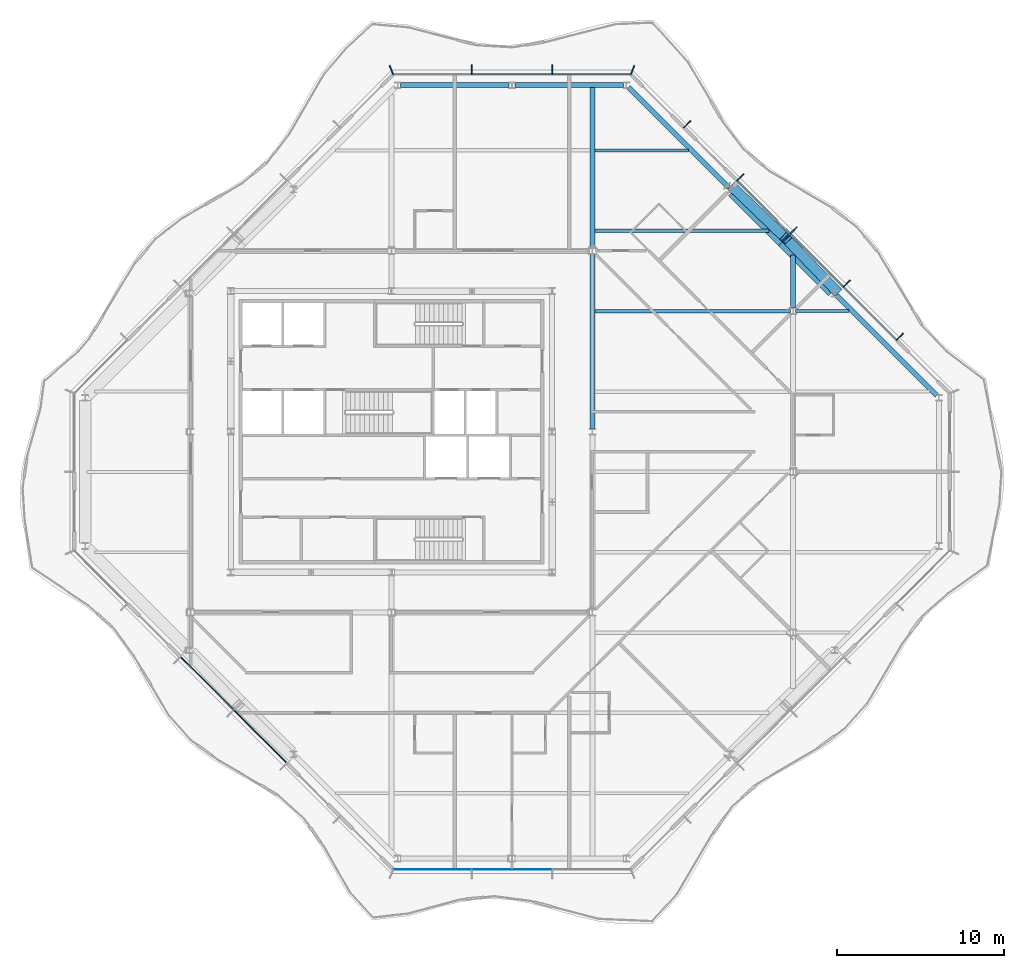
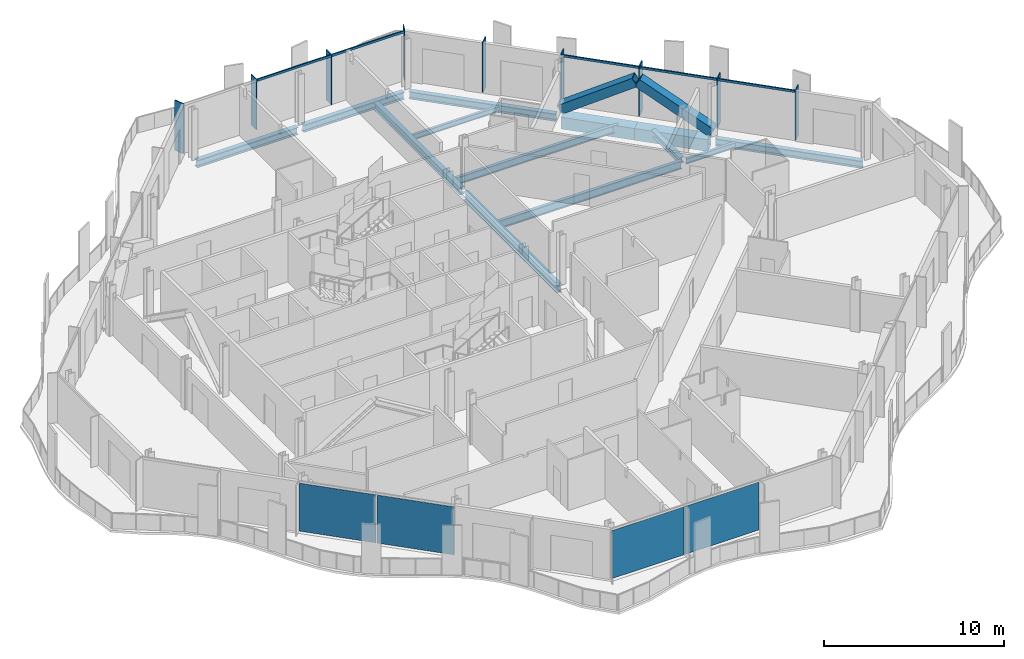
# One storey, part 5 of 17: 16 members, 13 beams, 4 plates, 5 elements without a shape of their own.
"""IFC4 building model written with IfcOpenShell, lengths in metres."""

from ifc_helpers import new_model, si_unit, direction, frame, origin, origin_2d, place, context, subcontext, project, spatial, rectangle, hollow_rectangle, i_section, extrude, material, layer, layer_set, material_profile, profile_set, type_object, element, aggregate, save


model = new_model("IFC4")

# Units and contexts
model_context = context("Model", 3, precision=1e-05, world=origin(), true_north=direction((0.0, 1.0)))
body_context = subcontext(model_context, "Body", "Model", "MODEL_VIEW")
ifc_project = project(units=[si_unit("LENGTHUNIT", "METRE"), si_unit("AREAUNIT", "SQUARE_METRE"), si_unit("VOLUMEUNIT", "CUBIC_METRE"), si_unit("PLANEANGLEUNIT", "RADIAN"), si_unit("MASSUNIT", "GRAM", prefix="KILO")], contexts=[model_context])

# Site, building, storey
site_placement = place(None, origin())
site = spatial("IfcSite", under=ifc_project, at=site_placement, CompositionType="ELEMENT")
building_placement = place(site_placement, origin())
building = spatial("IfcBuilding", under=site, at=building_placement, Name="Cairn Pilgrim Tower", CompositionType="ELEMENT")
storey_placement = place(building_placement, frame((0.0, 0.0, 292.199951171875)))
storey = spatial("IfcBuildingStorey", under=building, at=storey_placement, Name="L75", CompositionType="ELEMENT", Elevation=292.199951171875)

# Members
ifc_material_1 = material(Name="Structural steel S460M", Category="steel")
ifc_material_profile_1 = material_profile(ifc_material_1, hollow_rectangle(XDim=0.60009765625, YDim=0.60009765625, WallThickness=0.034912109375, at=origin_2d()), Name="BOX 600x600x35")
ifc_profile_set_1 = profile_set([ifc_material_profile_1], Name="Structural steel S460M")
member_type_1 = type_object("IfcMemberType", Name="BOX 600x600x35 BRACE", PredefinedType="BRACE", material=ifc_profile_set_1)
for number, where, z_axis, x_axis, name in (
    (1, (33.78759765625, 10.80224609375, 0.150146484375), (-0.594679218313, 0.61706668377, 0.515349721149), (-0.720047967375, -0.69392429319, 0.0), "XB-NE2-NE3-1"),
    (2, (27.602294921875, 16.98779296875, 0.150146484375), (0.617018686186, -0.594728533301, 0.515350281434), (0.693982111126, 0.719992242623, 0.0), "XB-NE2-NE3-2"),
):
    element("IfcMember", number, at=place(storey_placement, frame(where, z_axis=z_axis, x_axis=x_axis)), inside=storey, type_object=member_type_1, Name=name, PredefinedType="BRACE", context=body_context, shape_type="SweptSolid", body=[
        extrude(hollow_rectangle(XDim=0.60009765625, YDim=0.60009765625, WallThickness=0.034912109375, at=origin_2d()), origin(), (0.0, 0.0, 1.0), 5.016357421875),
    ])

# Beams
ifc_material_2 = material(Name="Structural steel S355J2", Category="steel")
ifc_material_profile_2 = material_profile(ifc_material_2, hollow_rectangle(XDim=0.699951171875, YDim=0.800048828125, WallThickness=0.0400390625, at=origin_2d()), Name="BOX 700x800x40")
ifc_profile_set_2 = profile_set([ifc_material_profile_2], Name="Structural steel S355J2")
beam_type_1 = type_object("IfcBeamType", Name="BOX 700x800x40 RING GIRDER", PredefinedType="SPANDREL", material=ifc_profile_set_2)
for number, where, z_axis, x_axis, name in (
    (3, (33.55126953125, 10.77587890625, -0.550048828125), (-0.707077889614, 0.707135671578, 0.0), (-0.707135671578, -0.707077889614, 0.0), "RG4-NE2-NE3-1"),
    (4, (30.563720703125, 13.763671875, -0.550048828125), (-0.707135671578, 0.707077889614, 0.0), (-0.707077889614, -0.707135671578, 0.0), "RG4-NE2-NE3-2"),
):
    element("IfcBeam", number, at=place(storey_placement, frame(where, z_axis=z_axis, x_axis=x_axis)), inside=storey, type_object=beam_type_1, Name=name, PredefinedType="SPANDREL", context=body_context, shape_type="SweptSolid", body=[
        extrude(hollow_rectangle(XDim=0.699951171875, YDim=0.800048828125, WallThickness=0.0400390625, at=origin_2d()), origin(), (0.0, 0.0, 1.0), 4.22509765625),
    ])

# Curtain wall, members
ifc_material_3 = material(Name="Aluminium alloy 6063-T6 bronze anodised with Bronze tinted laminated low-E glass 8+16+8.8", Category="aluminium")
curtain_wall_type = type_object("IfcCurtainWallType", Name="CROWN CURTAIN WALL", PredefinedType="NOTDEFINED", material=ifc_material_3)
curtain_wall_1_placement = place(storey_placement, origin())
curtain_wall_1 = element("IfcCurtainWall", 5, at=curtain_wall_1_placement, inside=storey, type_object=curtain_wall_type, Name="Crown Curtain Wall NE", PredefinedType="NOTDEFINED")
ifc_material_4 = material(Name="Aluminium alloy 6063-T6 bronze anodised", Category="aluminium")
ifc_material_profile_3 = material_profile(ifc_material_4, rectangle(XDim=0.60009765625, YDim=0.06005859375, at=origin_2d()), Name="FIN MULLION 60x600 BRONZE")
ifc_profile_set_3 = profile_set([ifc_material_profile_3], Name="Aluminium alloy 6063-T6 bronze anodised")
member_type_2 = type_object("IfcMemberType", Name="FIN MULLION 60x600 BRONZE", PredefinedType="MULLION", material=ifc_profile_set_3)
member_1_placement = place(storey_placement, frame((37.5654296875, 8.06298828125, 0.0), z_axis=(0.0, 0.0, 1.0), x_axis=(0.707106781187, 0.707106781187, 0.0)))
member_1 = element("IfcMember", 6, at=member_1_placement, type_object=member_type_2, Name="Fin mullion NE2", PredefinedType="MULLION", context=body_context, shape_type="SweptSolid", body=[
    extrude(rectangle(XDim=0.60009765625, YDim=0.06005859375, at=origin_2d()), origin(), (0.0, 0.0, 1.0), 3.400146484375),
])
member_2_placement = place(storey_placement, frame((34.3896484375, 11.238525390625, 0.0), z_axis=(0.0, 0.0, 1.0), x_axis=(0.707106781187, 0.707106781187, 0.0)))
member_2 = element("IfcMember", 7, at=member_2_placement, type_object=member_type_2, Name="Fin mullion NE3", PredefinedType="MULLION", context=body_context, shape_type="SweptSolid", body=[
    extrude(rectangle(XDim=0.60009765625, YDim=0.06005859375, at=origin_2d()), origin(), (0.0, 0.0, 1.0), 3.400146484375),
])
member_3_placement = place(storey_placement, frame((31.214111328125, 14.4140625, 0.0), z_axis=(0.0, 0.0, 1.0), x_axis=(0.707106781187, 0.707106781187, 0.0)))
member_3 = element("IfcMember", 8, at=member_3_placement, type_object=member_type_2, Name="Fin mullion NE4", PredefinedType="MULLION", context=body_context, shape_type="SweptSolid", body=[
    extrude(rectangle(XDim=0.60009765625, YDim=0.06005859375, at=origin_2d()), origin(), (0.0, 0.0, 1.0), 3.400146484375),
])
member_4_placement = place(storey_placement, frame((28.03857421875, 17.58984375, 0.0), z_axis=(0.0, 0.0, 1.0), x_axis=(0.707106781187, 0.707106781187, 0.0)))
member_4 = element("IfcMember", 9, at=member_4_placement, type_object=member_type_2, Name="Fin mullion NE5", PredefinedType="MULLION", context=body_context, shape_type="SweptSolid", body=[
    extrude(rectangle(XDim=0.60009765625, YDim=0.06005859375, at=origin_2d()), origin(), (0.0, 0.0, 1.0), 3.400146484375),
])
member_5_placement = place(storey_placement, frame((24.863037109375, 20.765380859375, 0.0), z_axis=(0.0, 0.0, 1.0), x_axis=(0.707106781187, 0.707106781187, 0.0)))
member_5 = element("IfcMember", 10, at=member_5_placement, type_object=member_type_2, Name="Fin mullion NE6", PredefinedType="MULLION", context=body_context, shape_type="SweptSolid", body=[
    extrude(rectangle(XDim=0.60009765625, YDim=0.06005859375, at=origin_2d()), origin(), (0.0, 0.0, 1.0), 3.400146484375),
])

curtain_wall_2_placement = place(storey_placement, origin())
curtain_wall_2 = element("IfcCurtainWall", 11, at=curtain_wall_2_placement, inside=storey, type_object=curtain_wall_type, Name="Crown Curtain Wall N", PredefinedType="NOTDEFINED")
member_6_placement = place(storey_placement, frame((21.599853515625, 23.99951171875, 0.0), z_axis=(0.0, 0.0, 1.0), x_axis=(0.382683432365, 0.923879532511, 0.0)))
member_6 = element("IfcMember", 12, at=member_6_placement, type_object=member_type_2, Name="Fin mullion N1", PredefinedType="MULLION", context=body_context, shape_type="SweptSolid", body=[
    extrude(rectangle(XDim=0.60009765625, YDim=0.06005859375, at=origin_2d()), origin(), (0.0, 0.0, 1.0), 3.400146484375),
])
member_7_placement = place(storey_placement, frame((16.800048828125, 24.02001953125, 0.0), z_axis=(0.0, 0.0, 1.0), x_axis=(0.0, 1.0, 0.0)))
member_7 = element("IfcMember", 13, at=member_7_placement, type_object=member_type_2, Name="Fin mullion N2", PredefinedType="MULLION", context=body_context, shape_type="SweptSolid", body=[
    extrude(rectangle(XDim=0.60009765625, YDim=0.06005859375, at=origin_2d()), origin(), (0.0, 0.0, 1.0), 3.400146484375),
])
member_8_placement = place(storey_placement, frame((12.0, 24.02001953125, 0.0), z_axis=(0.0, 0.0, 1.0), x_axis=(0.0, 1.0, 0.0)))
member_8 = element("IfcMember", 14, at=member_8_placement, type_object=member_type_2, Name="Fin mullion N3", PredefinedType="MULLION", context=body_context, shape_type="SweptSolid", body=[
    extrude(rectangle(XDim=0.60009765625, YDim=0.06005859375, at=origin_2d()), origin(), (0.0, 0.0, 1.0), 3.400146484375),
])

# Curtain wall, member
curtain_wall_3_placement = place(storey_placement, origin())
curtain_wall_3 = element("IfcCurtainWall", 15, at=curtain_wall_3_placement, inside=storey, type_object=curtain_wall_type, Name="Crown Curtain Wall NW", PredefinedType="NOTDEFINED")
member_9_placement = place(storey_placement, frame((7.2001953125, 23.99951171875, 0.0), z_axis=(0.0, 0.0, 1.0), x_axis=(-0.382683432365, 0.923879532511, 0.0)))
member_9 = element("IfcMember", 16, at=member_9_placement, type_object=member_type_2, Name="Fin mullion NW1", PredefinedType="MULLION", context=body_context, shape_type="SweptSolid", body=[
    extrude(rectangle(XDim=0.60009765625, YDim=0.06005859375, at=origin_2d()), origin(), (0.0, 0.0, 1.0), 3.400146484375),
])
aggregate(curtain_wall_3, [member_9])

# Beams
ifc_material_profile_4 = material_profile(ifc_material_2, i_section(OverallWidth=0.300048828125, OverallDepth=0.39990234375, WebThickness=0.013427734375, FlangeThickness=0.02392578125, FilletRadius=0.027099609375, at=origin_2d()), Name="HEB 400")
ifc_profile_set_4 = profile_set([ifc_material_profile_4], Name="Structural steel S355J2")
beam_type_2 = type_object("IfcBeamType", Name="HEB 400 GIRDER", PredefinedType="BEAM", material=ifc_profile_set_4)
beam_1_placement = place(storey_placement, frame((31.199951171875, 9.797119140625, -0.349853515625), z_axis=(0.0, 1.0, 0.0), x_axis=(-1.0, 0.0, 0.0)))
element("IfcBeam", 17, at=beam_1_placement, inside=storey, type_object=beam_type_2, Name="PG5-4", PredefinedType="BEAM", context=body_context, shape_type="SweptSolid", body=[
    extrude(i_section(OverallWidth=0.300048828125, OverallDepth=0.39990234375, WebThickness=0.013427734375, FlangeThickness=0.02392578125, FilletRadius=0.027099609375, at=origin_2d()), origin(), (0.0, 0.0, 1.0), 3.14794921875),
])
ifc_material_profile_5 = material_profile(ifc_material_2, i_section(OverallWidth=0.300048828125, OverallDepth=0.5, WebThickness=0.014404296875, FlangeThickness=0.028076171875, FilletRadius=0.027099609375, at=origin_2d()), Name="HEB 500")
ifc_profile_set_5 = profile_set([ifc_material_profile_5], Name="Structural steel S355J2")
beam_type_3 = type_object("IfcBeamType", Name="HEB 500 GIRDER", PredefinedType="BEAM", material=ifc_profile_set_5)
beam_2_placement = place(storey_placement, frame((19.199951171875, 13.39697265625, -0.39990234375), z_axis=(0.0, 1.0, 0.0), x_axis=(-1.0, 0.0, 0.0)))
element("IfcBeam", 18, at=beam_2_placement, inside=storey, type_object=beam_type_3, Name="PG4-4", PredefinedType="BEAM", context=body_context, shape_type="SweptSolid", body=[
    extrude(i_section(OverallWidth=0.300048828125, OverallDepth=0.5, WebThickness=0.014404296875, FlangeThickness=0.028076171875, FilletRadius=0.027099609375, at=origin_2d()), origin(), (0.0, 0.0, 1.0), 9.5830078125),
])
ifc_material_profile_6 = material_profile(ifc_material_2, i_section(OverallWidth=0.300048828125, OverallDepth=0.5, WebThickness=0.014404296875, FlangeThickness=0.028076171875, FilletRadius=0.027099609375, at=origin_2d()), Name="HEB 500")
ifc_profile_set_6 = profile_set([ifc_material_profile_6], Name="Structural steel S355J2")
beam_type_4 = type_object("IfcBeamType", Name="HEB 500 RING GIRDER", PredefinedType="SPANDREL", material=ifc_profile_set_6)
for number, where, z_axis, x_axis, name in (
    (19, (39.775634765625, 4.551513671875, -0.39990234375), (-0.707092335843, 0.707121226235, 0.0), (-0.707121226235, -0.707092335843, 0.0), "RG4-NE1-NE2"),
    (20, (27.3271484375, 17.000244140625, -0.39990234375), (-0.707121226235, 0.707092335843, 0.0), (-0.707092335843, -0.707121226235, 0.0), "RG4-NE3-N1"),
):
    element("IfcBeam", number, at=place(storey_placement, frame(where, z_axis=z_axis, x_axis=x_axis)), inside=storey, type_object=beam_type_4, Name=name, PredefinedType="SPANDREL", context=body_context, shape_type="SweptSolid", body=[
        extrude(i_section(OverallWidth=0.300048828125, OverallDepth=0.5, WebThickness=0.014404296875, FlangeThickness=0.028076171875, FilletRadius=0.027099609375, at=origin_2d()), origin(), (0.0, 0.0, 1.0), 8.45068359375),
    ])
for number, where, z_axis, x_axis, name in (
    (21, (21.05126953125, 23.10009765625, -0.39990234375), (-1.0, 0.0, 0.0), (0.0, -1.0, 0.0), "RG4-N1-N2"),
    (22, (14.22412109375, 23.10009765625, -0.39990234375), (-1.0, 0.0, 0.0), (0.0, -1.0, 0.0), "RG4-N2-NW1"),
):
    element("IfcBeam", number, at=place(storey_placement, frame(where, z_axis=z_axis, x_axis=x_axis)), inside=storey, type_object=beam_type_4, Name=name, PredefinedType="SPANDREL", context=body_context, shape_type="SweptSolid", body=[
        extrude(i_section(OverallWidth=0.300048828125, OverallDepth=0.5, WebThickness=0.014404296875, FlangeThickness=0.028076171875, FilletRadius=0.027099609375, at=origin_2d()), origin(), (0.0, 0.0, 1.0), 6.475341796875),
    ])
ifc_material_profile_7 = material_profile(ifc_material_2, i_section(OverallWidth=0.300048828125, OverallDepth=0.60009765625, WebThickness=0.015380859375, FlangeThickness=0.030029296875, FilletRadius=0.027099609375, at=origin_2d()), Name="HEB 600")
ifc_profile_set_7 = profile_set([ifc_material_profile_7], Name="Structural steel S355J2")
beam_type_5 = type_object("IfcBeamType", Name="HEB 600 GIRDER", PredefinedType="BEAM", material=ifc_profile_set_7)
beam_3_placement = place(storey_placement, frame((19.199951171875, 2.596923828125, -0.449951171875), z_axis=(0.0, 1.0, 0.0), x_axis=(-1.0, 0.0, 0.0)))
element("IfcBeam", 23, at=beam_3_placement, inside=storey, type_object=beam_type_5, Name="PG4-3", PredefinedType="BEAM", context=body_context, shape_type="SweptSolid", body=[
    extrude(i_section(OverallWidth=0.300048828125, OverallDepth=0.60009765625, WebThickness=0.015380859375, FlangeThickness=0.030029296875, FilletRadius=0.027099609375, at=origin_2d()), origin(), (0.0, 0.0, 1.0), 10.406005859375),
])
ifc_material_profile_8 = material_profile(ifc_material_2, i_section(OverallWidth=0.169921875, OverallDepth=0.360107421875, WebThickness=0.008056640625, FlangeThickness=0.0126953125, FilletRadius=0.01806640625, at=origin_2d()), Name="IPE 360")
ifc_profile_set_8 = profile_set([ifc_material_profile_8], Name="Structural steel S355J2")
beam_type_6 = type_object("IfcBeamType", Name="IPE 360 SECONDARY BEAM", PredefinedType="JOIST", material=ifc_profile_set_8)
beam_4_placement = place(storey_placement, frame((31.35009765625, 9.60009765625, -0.329833984375), z_axis=(1.0, 0.0, 0.0), x_axis=(0.0, 1.0, 0.0)))
element("IfcBeam", 24, at=beam_4_placement, inside=storey, type_object=beam_type_6, Name="SB7-2", PredefinedType="JOIST", context=body_context, shape_type="SweptSolid", body=[
    extrude(i_section(OverallWidth=0.169921875, OverallDepth=0.360107421875, WebThickness=0.008056640625, FlangeThickness=0.0126953125, FilletRadius=0.01806640625, at=origin_2d()), origin(), (0.0, 0.0, 1.0), 3.195068359375),
])
beam_5_placement = place(storey_placement, frame((19.35009765625, 19.199951171875, -0.329833984375), z_axis=(1.0, 0.0, 0.0), x_axis=(0.0, 1.0, 0.0)))
element("IfcBeam", 25, at=beam_5_placement, inside=storey, type_object=beam_type_6, Name="SB9-3", PredefinedType="JOIST", context=body_context, shape_type="SweptSolid", body=[
    extrude(i_section(OverallWidth=0.169921875, OverallDepth=0.360107421875, WebThickness=0.008056640625, FlangeThickness=0.0126953125, FilletRadius=0.01806640625, at=origin_2d()), origin(), (0.0, 0.0, 1.0), 5.594970703125),
])
ifc_material_profile_9 = material_profile(ifc_material_2, i_section(OverallWidth=0.199951171875, OverallDepth=0.5, WebThickness=0.01025390625, FlangeThickness=0.01611328125, FilletRadius=0.02099609375, at=origin_2d()), Name="IPE 500")
ifc_profile_set_9 = profile_set([ifc_material_profile_9], Name="Structural steel S355J2")
beam_type_7 = type_object("IfcBeamType", Name="IPE 500 SECONDARY BEAM", PredefinedType="JOIST", material=ifc_profile_set_9)
beam_6_placement = place(storey_placement, frame((19.35009765625, 14.39990234375, -0.39990234375), z_axis=(1.0, 0.0, 0.0), x_axis=(0.0, 1.0, 0.0)))
element("IfcBeam", 26, at=beam_6_placement, inside=storey, type_object=beam_type_7, Name="SB8-1", PredefinedType="JOIST", context=body_context, shape_type="SweptSolid", body=[
    extrude(i_section(OverallWidth=0.199951171875, OverallDepth=0.5, WebThickness=0.01025390625, FlangeThickness=0.01611328125, FilletRadius=0.02099609375, at=origin_2d()), origin(), (0.0, 0.0, 1.0), 10.39501953125),
])
ifc_material_profile_10 = material_profile(ifc_material_2, i_section(OverallWidth=0.2099609375, OverallDepth=0.550048828125, WebThickness=0.010986328125, FlangeThickness=0.01708984375, FilletRadius=0.02392578125, at=origin_2d()), Name="IPE 550")
ifc_profile_set_10 = profile_set([ifc_material_profile_10], Name="Structural steel S355J2")
beam_type_8 = type_object("IfcBeamType", Name="IPE 550 SECONDARY BEAM", PredefinedType="JOIST", material=ifc_profile_set_10)
beam_7_placement = place(storey_placement, frame((19.35009765625, 9.60009765625, -0.425048828125), z_axis=(1.0, 0.0, 0.0), x_axis=(0.0, 1.0, 0.0)))
element("IfcBeam", 27, at=beam_7_placement, inside=storey, type_object=beam_type_8, Name="SB7-1", PredefinedType="JOIST", context=body_context, shape_type="SweptSolid", body=[
    extrude(i_section(OverallWidth=0.2099609375, OverallDepth=0.550048828125, WebThickness=0.010986328125, FlangeThickness=0.01708984375, FilletRadius=0.02392578125, at=origin_2d()), origin(), (0.0, 0.0, 1.0), 11.699951171875),
])

# Member
ifc_material_profile_11 = material_profile(ifc_material_4, rectangle(XDim=0.080078125, YDim=0.14990234375, at=origin_2d()), Name="TRANSOM 80x150 BRONZE")
ifc_profile_set_11 = profile_set([ifc_material_profile_11], Name="Aluminium alloy 6063-T6 bronze anodised")
member_type_3 = type_object("IfcMemberType", Name="TRANSOM 80x150 BRONZE", PredefinedType="USERDEFINED", material=ifc_profile_set_11)
member_10_placement = place(storey_placement, frame((37.353271484375, 7.893310546875, 3.324951171875), z_axis=(-0.707134329907, 0.707079231393, 0.0), x_axis=(-0.707079231393, -0.707134329907, 0.0)))
member_10 = element("IfcMember", 28, at=member_10_placement, type_object=member_type_3, Name="Transom NE2", ObjectType="TRANSOM", PredefinedType="USERDEFINED", context=body_context, shape_type="SweptSolid", body=[
    extrude(rectangle(XDim=0.080078125, YDim=0.14990234375, at=origin_2d()), origin(), (0.0, 0.0, 1.0), 4.430908203125),
])

member_11_placement = place(storey_placement, frame((34.177490234375, 11.06884765625, 3.324951171875), z_axis=(-0.707106781187, 0.707106781187, 0.0), x_axis=(-0.707106781187, -0.707106781187, 0.0)))
member_11 = element("IfcMember", 29, at=member_11_placement, type_object=member_type_3, Name="Transom NE3", ObjectType="TRANSOM", PredefinedType="USERDEFINED", context=body_context, shape_type="SweptSolid", body=[
    extrude(rectangle(XDim=0.080078125, YDim=0.14990234375, at=origin_2d()), origin(), (0.0, 0.0, 1.0), 4.430908203125),
])

member_12_placement = place(storey_placement, frame((31.001953125, 14.244384765625, 3.324951171875), z_axis=(-0.707079231393, 0.707134329907, 0.0), x_axis=(-0.707134329907, -0.707079231393, 0.0)))
member_12 = element("IfcMember", 30, at=member_12_placement, type_object=member_type_3, Name="Transom NE4", ObjectType="TRANSOM", PredefinedType="USERDEFINED", context=body_context, shape_type="SweptSolid", body=[
    extrude(rectangle(XDim=0.080078125, YDim=0.14990234375, at=origin_2d()), origin(), (0.0, 0.0, 1.0), 4.430908203125),
])

aggregate(curtain_wall_1, [member_1, member_2, member_3, member_4, member_5, member_10, member_11, member_12])

member_13_placement = place(storey_placement, frame((21.45654296875, 23.75, 3.324951171875), z_axis=(-1.0, 0.0, 0.0), x_axis=(0.0, -1.0, 0.0)))
member_13 = element("IfcMember", 31, at=member_13_placement, type_object=member_type_3, Name="Transom N1", ObjectType="TRANSOM", PredefinedType="USERDEFINED", context=body_context, shape_type="SweptSolid", body=[
    extrude(rectangle(XDim=0.080078125, YDim=0.14990234375, at=origin_2d()), origin(), (0.0, 0.0, 1.0), 4.62646484375),
])

member_14_placement = place(storey_placement, frame((16.77001953125, 23.75, 3.324951171875), z_axis=(-1.0, 0.0, 0.0), x_axis=(0.0, -1.0, 0.0)))
member_14 = element("IfcMember", 32, at=member_14_placement, type_object=member_type_3, Name="Transom N2", ObjectType="TRANSOM", PredefinedType="USERDEFINED", context=body_context, shape_type="SweptSolid", body=[
    extrude(rectangle(XDim=0.080078125, YDim=0.14990234375, at=origin_2d()), origin(), (0.0, 0.0, 1.0), 4.739990234375),
])

aggregate(curtain_wall_2, [member_6, member_7, member_8, member_13, member_14])

# Curtain wall, plates
curtain_wall_4_placement = place(storey_placement, origin())
curtain_wall_4 = element("IfcCurtainWall", 33, at=curtain_wall_4_placement, inside=storey, type_object=curtain_wall_type, Name="Crown Curtain Wall SW", PredefinedType="NOTDEFINED")
ifc_material_5 = material(Name="Bronze anodised aluminium spandrel panel with mineral wool insulation", Category="aluminium")
ifc_layer_1 = layer(ifc_material_5, 0.06005859375)
ifc_layer_set_1 = layer_set([ifc_layer_1], Name="SPANDREL PANEL 4431x3250")
plate_type_1 = type_object("IfcPlateType", Name="SPANDREL PANEL 4431x3250", PredefinedType="CURTAIN_PANEL", material=ifc_layer_set_1)
plate_1_placement = place(storey_placement, frame((-3.81103515625, -12.635498046875, 0.0), z_axis=(0.0, 0.0, 1.0), x_axis=(0.707106781187, -0.707106781187, 0.0)))
plate_1 = element("IfcPlate", 34, at=plate_1_placement, type_object=plate_type_1, Name="Spandrel Panel SW3-1", PredefinedType="CURTAIN_PANEL", context=body_context, shape_type="SweptSolid", body=[
    extrude(rectangle(XDim=4.430908203125, YDim=0.06005859375, at=origin_2d()), origin(), (0.0, 0.0, 1.0), 3.25),
])
plate_2_placement = place(storey_placement, frame((-0.635498046875, -15.81103515625, 0.0), z_axis=(0.0, 0.0, 1.0), x_axis=(0.707106781187, -0.707106781187, 0.0)))
plate_2 = element("IfcPlate", 35, at=plate_2_placement, type_object=plate_type_1, Name="Spandrel Panel SW4-1", PredefinedType="CURTAIN_PANEL", context=body_context, shape_type="SweptSolid", body=[
    extrude(rectangle(XDim=4.430908203125, YDim=0.06005859375, at=origin_2d()), origin(), (0.0, 0.0, 1.0), 3.25),
])
aggregate(curtain_wall_4, [plate_1, plate_2])

curtain_wall_5_placement = place(storey_placement, origin())
curtain_wall_5 = element("IfcCurtainWall", 36, at=curtain_wall_5_placement, inside=storey, type_object=curtain_wall_type, Name="Crown Curtain Wall S", PredefinedType="NOTDEFINED")
ifc_material_6 = material(Name="Bronze tinted laminated low-E glass 8+16+8.8", Category="glass")
ifc_layer_2 = layer(ifc_material_6, 0.033935546875)
ifc_layer_set_2 = layer_set([ifc_layer_2], Name="VISION GLAZING 4626x3250")
plate_type_2 = type_object("IfcPlateType", Name="VISION GLAZING 4626x3250", PredefinedType="CURTAIN_PANEL", material=ifc_layer_set_2)
plate_3_placement = place(storey_placement, frame((9.65673828125, -23.75, 0.0), z_axis=(0.0, 0.0, 1.0), x_axis=(1.0, 0.0, 0.0)))
plate_3 = element("IfcPlate", 37, at=plate_3_placement, type_object=plate_type_2, Name="Vision Glazing S1-1", PredefinedType="CURTAIN_PANEL", context=body_context, shape_type="SweptSolid", body=[
    extrude(rectangle(XDim=4.62646484375, YDim=0.033935546875, at=origin_2d()), origin(), (0.0, 0.0, 1.0), 3.25),
])
ifc_layer_3 = layer(ifc_material_6, 0.033935546875)
ifc_layer_set_3 = layer_set([ifc_layer_3], Name="VISION GLAZING 4740x3250")
plate_type_3 = type_object("IfcPlateType", Name="VISION GLAZING 4740x3250", PredefinedType="CURTAIN_PANEL", material=ifc_layer_set_3)
plate_4_placement = place(storey_placement, frame((14.39990234375, -23.75, 0.0), z_axis=(0.0, 0.0, 1.0), x_axis=(1.0, 0.0, 0.0)))
plate_4 = element("IfcPlate", 38, at=plate_4_placement, type_object=plate_type_3, Name="Vision Glazing S2-1", PredefinedType="CURTAIN_PANEL", context=body_context, shape_type="SweptSolid", body=[
    extrude(rectangle(XDim=4.739990234375, YDim=0.033935546875, at=origin_2d()), origin(), (0.0, 0.0, 1.0), 3.25),
])
aggregate(curtain_wall_5, [plate_3, plate_4])

save(model, "model.ifc")
